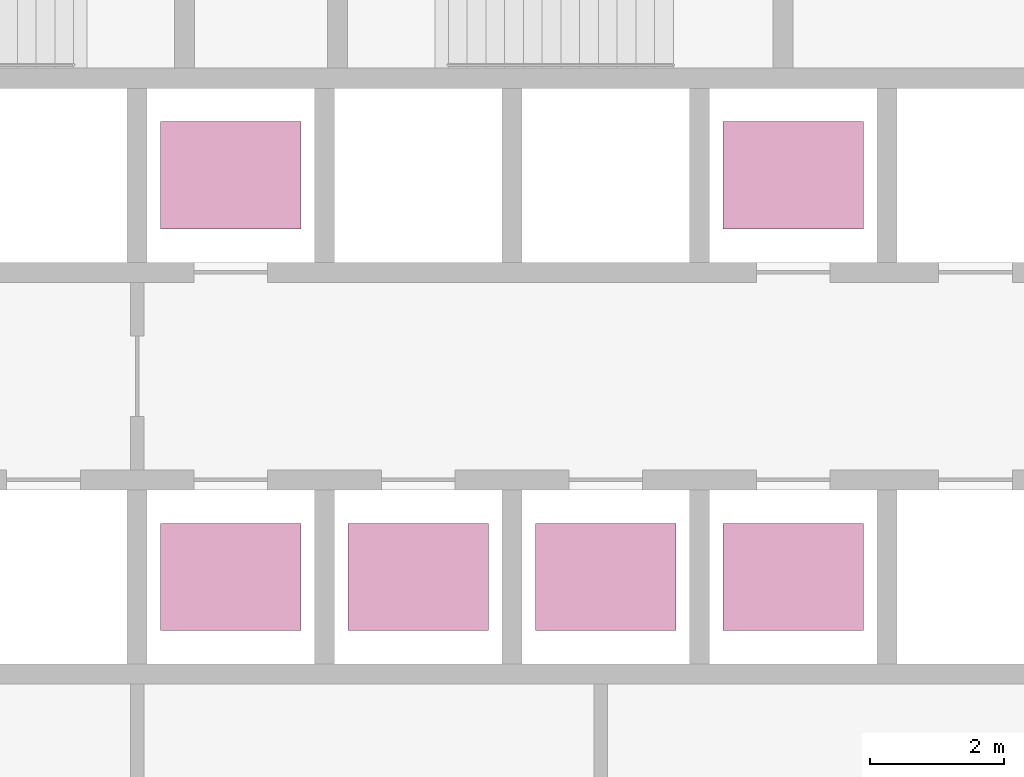
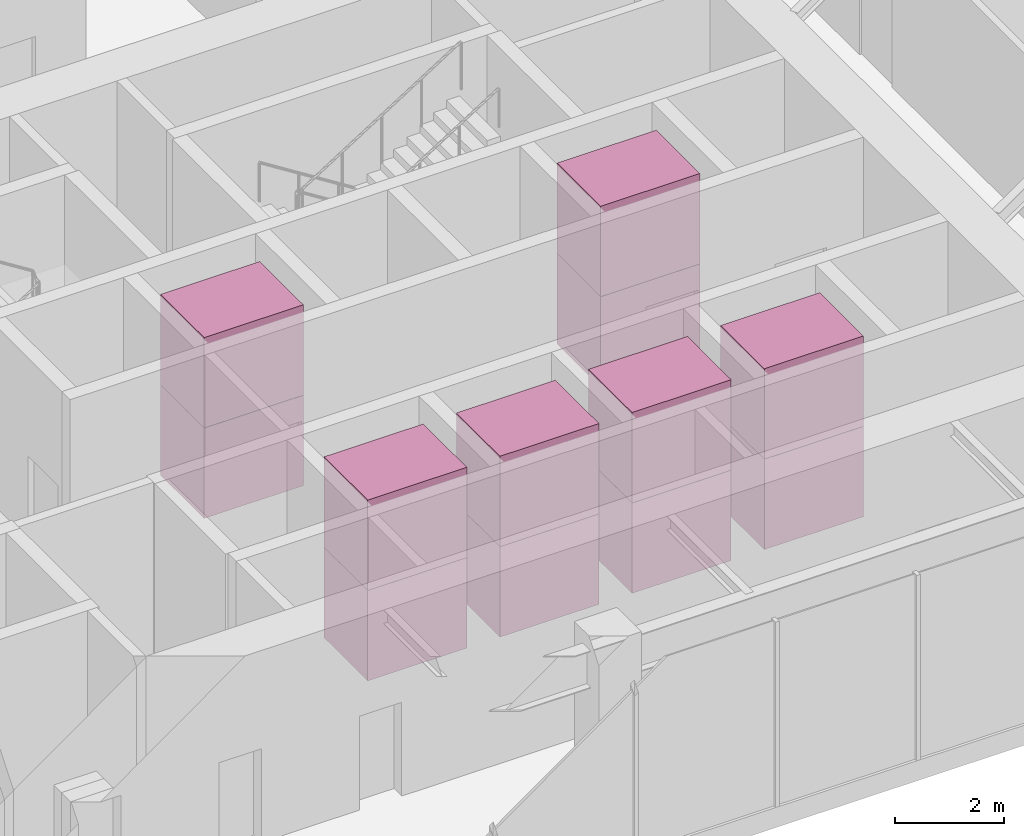
# One storey, part 29 of 29: 12 transport elements.
"""IFC4 building model written with IfcOpenShell, lengths in metres."""

from ifc_helpers import new_model, si_unit, direction, frame, origin, origin_2d, place, context, subcontext, project, spatial, rectangle, extrude, material, type_object, element, save


model = new_model("IFC4")

# Units and contexts
model_context = context("Model", 3, precision=1e-05, world=origin(), true_north=direction((0.0, 1.0)))
body_context = subcontext(model_context, "Body", "Model", "MODEL_VIEW")
ifc_project = project(units=[si_unit("LENGTHUNIT", "METRE"), si_unit("AREAUNIT", "SQUARE_METRE"), si_unit("VOLUMEUNIT", "CUBIC_METRE"), si_unit("PLANEANGLEUNIT", "RADIAN"), si_unit("MASSUNIT", "GRAM", prefix="KILO")], contexts=[model_context])

# Site, building, storey
site_placement = place(None, origin())
site = spatial("IfcSite", under=ifc_project, at=site_placement, CompositionType="ELEMENT")
building_placement = place(site_placement, origin())
building = spatial("IfcBuilding", under=site, at=building_placement, Name="Firuza Gate Tower and Library", CompositionType="ELEMENT")
storey_placement = place(building_placement, frame((0.0, 0.0, 8.0)))
storey = spatial("IfcBuildingStorey", under=building, at=storey_placement, Name="L01", CompositionType="ELEMENT", Elevation=8.0)

# Transport elements
ifc_material = material(Name="Stainless steel and glass", Category="steel")
transport_element_type = type_object("IfcTransportElementType", Name="Low-rise lift car 2100x1600", PredefinedType="ELEVATOR", material=ifc_material)
for number, where, z_axis, x_axis, name in (
    (1, (74.64990234375, 70.300048828125, 0.0), (0.0, 0.0, 1.0), (1.0, 0.0, 0.0), "Low-rise lift LR1"),
    (2, (74.64990234375, 70.300048828125, 2.025146484375), (0.0, 0.0, 1.0), (1.0, 0.0, 0.0), "Low-rise lift LR1"),
    (3, (77.449951171875, 70.300048828125, 0.0), (0.0, 0.0, 1.0), (1.0, 0.0, 0.0), "Low-rise lift LR2"),
    (4, (77.449951171875, 70.300048828125, 2.025146484375), (0.0, 0.0, 1.0), (1.0, 0.0, 0.0), "Low-rise lift LR2"),
    (5, (80.25, 70.300048828125, 0.0), (0.0, 0.0, 1.0), (1.0, 0.0, 0.0), "Low-rise lift LR3"),
    (6, (80.25, 70.300048828125, 2.025146484375), (0.0, 0.0, 1.0), (1.0, 0.0, 0.0), "Low-rise lift LR3"),
    (7, (74.64990234375, 76.300048828125, 0.0), (0.0, 0.0, 1.0), (1.0, 0.0, 0.0), "Low-rise lift LR4"),
    (8, (74.64990234375, 76.300048828125, 2.025146484375), (0.0, 0.0, 1.0), (1.0, 0.0, 0.0), "Low-rise lift LR4"),
    (9, (83.050048828125, 70.300048828125, 0.0), (0.0, 0.0, 1.0), (1.0, 0.0, 0.0), "Low-rise lift LR5"),
    (10, (83.050048828125, 70.300048828125, 2.025146484375), (0.0, 0.0, 1.0), (1.0, 0.0, 0.0), "Low-rise lift LR5"),
    (11, (83.050048828125, 76.300048828125, 0.0), (0.0, 0.0, 1.0), (1.0, 0.0, 0.0), "Low-rise lift LR6"),
    (12, (83.050048828125, 76.300048828125, 2.025146484375), (0.0, 0.0, 1.0), (1.0, 0.0, 0.0), "Low-rise lift LR6"),
):
    element("IfcTransportElement", number, at=place(storey_placement, frame(where, z_axis=z_axis, x_axis=x_axis)), inside=storey, type_object=transport_element_type, Name=name, PredefinedType="ELEVATOR", context=body_context, shape_type="SweptSolid", body=[
        extrude(rectangle(XDim=2.10009765625, YDim=1.60009765625, at=origin_2d()), origin(), (0.0, 0.0, 1.0), 2.02490234375),
    ])

save(model, "model.ifc")
